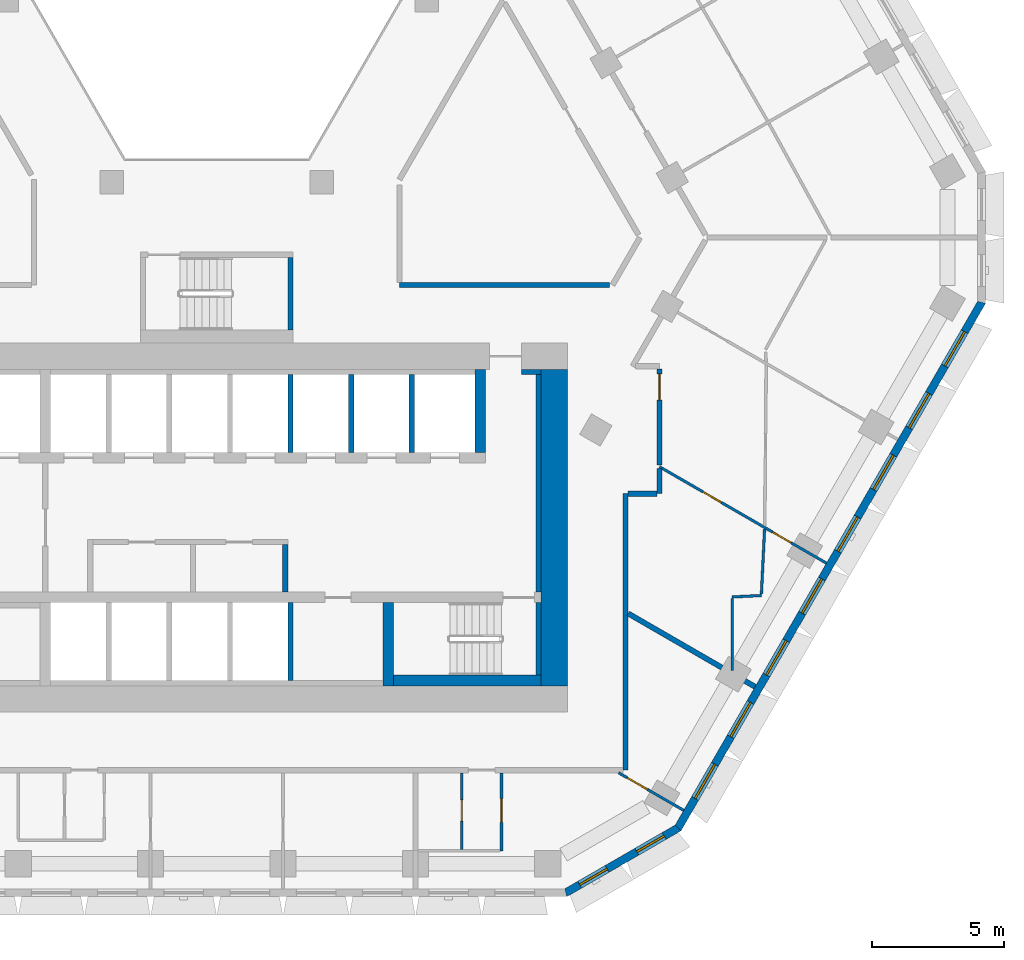
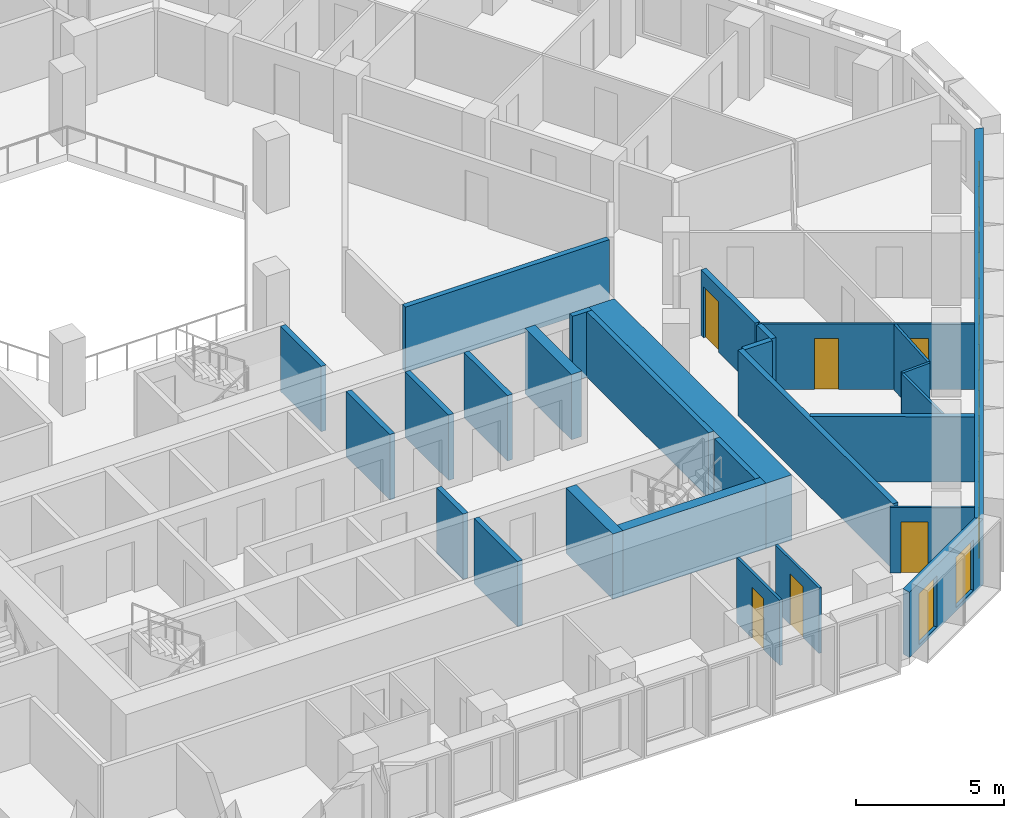
# One storey, part 6 of 18: 28 walls, 10 windows, 6 doors, 16 openings.
"""IFC4 building model written with IfcOpenShell, lengths in metres."""

from ifc_helpers import new_model, si_unit, direction, frame, frame_2d, origin, place, context, subcontext, project, spatial, polyline, rectangle, outline, extrude, material, layer, layer_set, type_object, element, fill, save


model = new_model("IFC4")

# Units and contexts
model_context = context("Model", 3, precision=1e-05, world=origin(), true_north=direction((0.0, 1.0)))
body_context = subcontext(model_context, "Body", "Model", "MODEL_VIEW")
ifc_project = project(units=[si_unit("LENGTHUNIT", "METRE"), si_unit("AREAUNIT", "SQUARE_METRE"), si_unit("VOLUMEUNIT", "CUBIC_METRE"), si_unit("PLANEANGLEUNIT", "RADIAN"), si_unit("MASSUNIT", "GRAM", prefix="KILO")], contexts=[model_context])

# Site, building, storey
site_placement = place(None, origin())
site = spatial("IfcSite", under=ifc_project, at=site_placement, CompositionType="ELEMENT")
building_placement = place(site_placement, origin())
building = spatial("IfcBuilding", under=site, at=building_placement, Name="Beryl Residences", CompositionType="ELEMENT")
storey_placement = place(building_placement, frame((0.0, 0.0, 99.0)))
storey = spatial("IfcBuildingStorey", under=building, at=storey_placement, Name="L30", CompositionType="ELEMENT", Elevation=99.0)

# Wall, openings, windows
ifc_material_1 = material(Name="Composite metal panel with mineral wool insulation")
ifc_layer_1 = layer(ifc_material_1, 0.300048828125)
ifc_layer_set_1 = layer_set([ifc_layer_1], Name="ES1 pale metal composite panel wall 300 mm")
wall_type_1 = type_object("IfcWallType", Name="ES1 pale metal composite panel wall 300 mm", PredefinedType="SOLIDWALL", material=ifc_layer_set_1)
wall_1_placement = place(storey_placement, frame((13.2041015625, -25.8701171875, 0.0), z_axis=(0.0, 0.0, 1.0), x_axis=(0.866010750942, 0.50002537861, 0.0)))
wall_1 = element("IfcWall", 1, at=wall_1_placement, inside=storey, type_object=wall_type_1, Name="ES1 external wall L30 S-SE", PredefinedType="SOLIDWALL", context=body_context, shape_type="SweptSolid", body=[
    extrude(outline(polyline([(0.0, -0.14990234375), (4.999755859375, -0.14990234375), (4.91943359375, 0.14990234375), (0.080322265625, 0.14990234375), (0.0, -0.14990234375)])), origin(), (0.0, 0.0, 1.0), 2.699951171875),
])
opening_1_placement = place(wall_1_placement, frame((0.64990234375, 0.0, 0.14990234375)))
opening_1 = element("IfcOpeningElement", 2, at=opening_1_placement, cuts=wall_1, Name="Opening W2", PredefinedType="OPENING", context=body_context, shape_type="SweptSolid", body=[
    extrude(rectangle(XDim=1.199951171875, YDim=2.10009765625, at=frame_2d((0.60009765625, 1.050048828125))), frame((0.0, 0.159912109375, 0.0), z_axis=(0.0, -1.0, 0.0), x_axis=(1.0, 0.0, 0.0)), (0.0, 0.0, 1.0), 0.320068359375),
])
opening_2_placement = place(wall_1_placement, frame((3.14892578125, 0.0, 0.14990234375)))
opening_2 = element("IfcOpeningElement", 3, at=opening_2_placement, cuts=wall_1, Name="Opening W2", PredefinedType="OPENING", context=body_context, shape_type="SweptSolid", body=[
    extrude(rectangle(XDim=1.199951171875, YDim=2.10009765625, at=frame_2d((0.60009765625, 1.050048828125))), frame((0.0, 0.159912109375, 0.0), z_axis=(0.0, -1.0, 0.0), x_axis=(1.0, 0.0, 0.0)), (0.0, 0.0, 1.0), 0.320068359375),
])
ifc_material_2 = material(Name="Aluminium and clear glass", Category="aluminium")
window_type_1 = type_object("IfcWindowType", Name="W2 chamfer window 1200 x 2100 mm", PartitioningType="SINGLE_PANEL", PredefinedType="WINDOW", material=ifc_material_2)
window_1_placement = place(opening_1_placement, origin())
window_1 = element("IfcWindow", 4, at=window_1_placement, inside=storey, type_object=window_type_1, Name="W2 window L30 S-SE 1", OverallHeight=2.10009765625, OverallWidth=1.199951171875, PartitioningType="SINGLE_PANEL", PredefinedType="WINDOW", context=body_context, shape_type="SweptSolid", body=[
    extrude(rectangle(XDim=1.199951171875, YDim=2.10009765625, at=frame_2d((0.60009765625, 1.050048828125))), frame((0.0, 0.030029296875, 0.0), z_axis=(0.0, -1.0, 0.0), x_axis=(1.0, 0.0, 0.0)), (0.0, 0.0, 1.0), 0.06005859375),
])
fill(opening_1, window_1)
window_2_placement = place(opening_2_placement, origin())
window_2 = element("IfcWindow", 5, at=window_2_placement, inside=storey, type_object=window_type_1, Name="W2 window L30 S-SE 2", OverallHeight=2.10009765625, OverallWidth=1.199951171875, PartitioningType="SINGLE_PANEL", PredefinedType="WINDOW", context=body_context, shape_type="SweptSolid", body=[
    extrude(rectangle(XDim=1.199951171875, YDim=2.10009765625, at=frame_2d((0.60009765625, 1.050048828125))), frame((0.0, 0.030029296875, 0.0), z_axis=(0.0, -1.0, 0.0), x_axis=(1.0, 0.0, 0.0)), (0.0, 0.0, 1.0), 0.06005859375),
])
fill(opening_2, window_2)

wall_2_placement = place(storey_placement, frame((17.47900390625, -23.425048828125, 0.0), z_axis=(0.0, 0.0, 1.0), x_axis=(0.500035407905, 0.866004960056, 0.0)))
wall_2 = element("IfcWall", 6, at=wall_2_placement, inside=storey, type_object=wall_type_1, Name="ES1 external wall L30 SE", PredefinedType="SOLIDWALL", context=body_context, shape_type="SweptSolid", body=[
    extrude(outline(polyline([(0.0, -0.14990234375), (23.094482421875, -0.14990234375), (23.01416015625, 0.14990234375), (0.080322265625, 0.14990234375), (0.0, -0.14990234375)])), origin(), (0.0, 0.0, 1.0), 2.699951171875),
])
opening_3_placement = place(wall_2_placement, frame((1.323974609375, 0.0, 0.14990234375)))
opening_3 = element("IfcOpeningElement", 7, at=opening_3_placement, cuts=wall_2, Name="Opening W1", PredefinedType="OPENING", context=body_context, shape_type="SweptSolid", body=[
    extrude(rectangle(XDim=1.5, YDim=2.10009765625, at=frame_2d((0.75, 1.050048828125))), frame((0.0, 0.159912109375, 0.0), z_axis=(0.0, -1.0, 0.0), x_axis=(1.0, 0.0, 0.0)), (0.0, 0.0, 1.0), 0.320068359375),
])
opening_4_placement = place(wall_2_placement, frame((4.031005859375, 0.0, 0.14990234375)))
opening_4 = element("IfcOpeningElement", 8, at=opening_4_placement, cuts=wall_2, Name="Opening W1", PredefinedType="OPENING", context=body_context, shape_type="SweptSolid", body=[
    extrude(rectangle(XDim=1.5, YDim=2.10009765625, at=frame_2d((0.75, 1.050048828125))), frame((0.0, 0.159912109375, 0.0), z_axis=(0.0, -1.0, 0.0), x_axis=(1.0, 0.0, 0.0)), (0.0, 0.0, 1.0), 0.320068359375),
])
opening_5_placement = place(wall_2_placement, frame((6.737060546875, 0.0, 0.14990234375)))
opening_5 = element("IfcOpeningElement", 9, at=opening_5_placement, cuts=wall_2, Name="Opening W1", PredefinedType="OPENING", context=body_context, shape_type="SweptSolid", body=[
    extrude(rectangle(XDim=1.5, YDim=2.10009765625, at=frame_2d((0.75, 1.050048828125))), frame((0.0, 0.159912109375, 0.0), z_axis=(0.0, -1.0, 0.0), x_axis=(1.0, 0.0, 0.0)), (0.0, 0.0, 1.0), 0.320068359375),
])
opening_6_placement = place(wall_2_placement, frame((9.444091796875, 0.0, 0.14990234375)))
opening_6 = element("IfcOpeningElement", 10, at=opening_6_placement, cuts=wall_2, Name="Opening W1", PredefinedType="OPENING", context=body_context, shape_type="SweptSolid", body=[
    extrude(rectangle(XDim=1.5, YDim=2.10009765625, at=frame_2d((0.75, 1.050048828125))), frame((0.0, 0.159912109375, 0.0), z_axis=(0.0, -1.0, 0.0), x_axis=(1.0, 0.0, 0.0)), (0.0, 0.0, 1.0), 0.320068359375),
])
opening_7_placement = place(wall_2_placement, frame((12.15087890625, 0.0, 0.14990234375)))
opening_7 = element("IfcOpeningElement", 11, at=opening_7_placement, cuts=wall_2, Name="Opening W1", PredefinedType="OPENING", context=body_context, shape_type="SweptSolid", body=[
    extrude(rectangle(XDim=1.5, YDim=2.10009765625, at=frame_2d((0.75, 1.050048828125))), frame((0.0, 0.159912109375, 0.0), z_axis=(0.0, -1.0, 0.0), x_axis=(1.0, 0.0, 0.0)), (0.0, 0.0, 1.0), 0.320068359375),
])
opening_8_placement = place(wall_2_placement, frame((14.85693359375, 0.0, 0.14990234375)))
opening_8 = element("IfcOpeningElement", 12, at=opening_8_placement, cuts=wall_2, Name="Opening W1", PredefinedType="OPENING", context=body_context, shape_type="SweptSolid", body=[
    extrude(rectangle(XDim=1.5, YDim=2.10009765625, at=frame_2d((0.75, 1.050048828125))), frame((0.0, 0.159912109375, 0.0), z_axis=(0.0, -1.0, 0.0), x_axis=(1.0, 0.0, 0.0)), (0.0, 0.0, 1.0), 0.320068359375),
])
opening_9_placement = place(wall_2_placement, frame((17.56396484375, 0.0, 0.14990234375)))
opening_9 = element("IfcOpeningElement", 13, at=opening_9_placement, cuts=wall_2, Name="Opening W1", PredefinedType="OPENING", context=body_context, shape_type="SweptSolid", body=[
    extrude(rectangle(XDim=1.5, YDim=2.10009765625, at=frame_2d((0.75, 1.050048828125))), frame((0.0, 0.159912109375, 0.0), z_axis=(0.0, -1.0, 0.0), x_axis=(1.0, 0.0, 0.0)), (0.0, 0.0, 1.0), 0.320068359375),
])
opening_10_placement = place(wall_2_placement, frame((20.27099609375, 0.0, 0.14990234375)))
opening_10 = element("IfcOpeningElement", 14, at=opening_10_placement, cuts=wall_2, Name="Opening W1", PredefinedType="OPENING", context=body_context, shape_type="SweptSolid", body=[
    extrude(rectangle(XDim=1.5, YDim=2.10009765625, at=frame_2d((0.75, 1.050048828125))), frame((0.0, 0.159912109375, 0.0), z_axis=(0.0, -1.0, 0.0), x_axis=(1.0, 0.0, 0.0)), (0.0, 0.0, 1.0), 0.320068359375),
])
ifc_material_3 = material(Name="Aluminium and clear glass", Category="aluminium")
window_type_2 = type_object("IfcWindowType", Name="W1 cell window 1500 x 2100 mm", PartitioningType="SINGLE_PANEL", PredefinedType="WINDOW", material=ifc_material_3)
window_3_placement = place(opening_3_placement, origin())
window_3 = element("IfcWindow", 15, at=window_3_placement, inside=storey, type_object=window_type_2, Name="W1 window L30 SE 1", OverallHeight=2.10009765625, OverallWidth=1.5, PartitioningType="SINGLE_PANEL", PredefinedType="WINDOW", context=body_context, shape_type="SweptSolid", body=[
    extrude(rectangle(XDim=1.5, YDim=2.10009765625, at=frame_2d((0.75, 1.050048828125))), frame((0.0, 0.030029296875, 0.0), z_axis=(0.0, -1.0, 0.0), x_axis=(1.0, 0.0, 0.0)), (0.0, 0.0, 1.0), 0.06005859375),
])
fill(opening_3, window_3)
window_4_placement = place(opening_4_placement, origin())
window_4 = element("IfcWindow", 16, at=window_4_placement, inside=storey, type_object=window_type_2, Name="W1 window L30 SE 2", OverallHeight=2.10009765625, OverallWidth=1.5, PartitioningType="SINGLE_PANEL", PredefinedType="WINDOW", context=body_context, shape_type="SweptSolid", body=[
    extrude(rectangle(XDim=1.5, YDim=2.10009765625, at=frame_2d((0.75, 1.050048828125))), frame((0.0, 0.030029296875, 0.0), z_axis=(0.0, -1.0, 0.0), x_axis=(1.0, 0.0, 0.0)), (0.0, 0.0, 1.0), 0.06005859375),
])
fill(opening_4, window_4)
window_5_placement = place(opening_5_placement, origin())
window_5 = element("IfcWindow", 17, at=window_5_placement, inside=storey, type_object=window_type_2, Name="W1 window L30 SE 3", OverallHeight=2.10009765625, OverallWidth=1.5, PartitioningType="SINGLE_PANEL", PredefinedType="WINDOW", context=body_context, shape_type="SweptSolid", body=[
    extrude(rectangle(XDim=1.5, YDim=2.10009765625, at=frame_2d((0.75, 1.050048828125))), frame((0.0, 0.030029296875, 0.0), z_axis=(0.0, -1.0, 0.0), x_axis=(1.0, 0.0, 0.0)), (0.0, 0.0, 1.0), 0.06005859375),
])
fill(opening_5, window_5)
window_6_placement = place(opening_6_placement, origin())
window_6 = element("IfcWindow", 18, at=window_6_placement, inside=storey, type_object=window_type_2, Name="W1 window L30 SE 4", OverallHeight=2.10009765625, OverallWidth=1.5, PartitioningType="SINGLE_PANEL", PredefinedType="WINDOW", context=body_context, shape_type="SweptSolid", body=[
    extrude(rectangle(XDim=1.5, YDim=2.10009765625, at=frame_2d((0.75, 1.050048828125))), frame((0.0, 0.030029296875, 0.0), z_axis=(0.0, -1.0, 0.0), x_axis=(1.0, 0.0, 0.0)), (0.0, 0.0, 1.0), 0.06005859375),
])
fill(opening_6, window_6)
window_7_placement = place(opening_7_placement, origin())
window_7 = element("IfcWindow", 19, at=window_7_placement, inside=storey, type_object=window_type_2, Name="W1 window L30 SE 5", OverallHeight=2.10009765625, OverallWidth=1.5, PartitioningType="SINGLE_PANEL", PredefinedType="WINDOW", context=body_context, shape_type="SweptSolid", body=[
    extrude(rectangle(XDim=1.5, YDim=2.10009765625, at=frame_2d((0.75, 1.050048828125))), frame((0.0, 0.030029296875, 0.0), z_axis=(0.0, -1.0, 0.0), x_axis=(1.0, 0.0, 0.0)), (0.0, 0.0, 1.0), 0.06005859375),
])
fill(opening_7, window_7)
window_8_placement = place(opening_8_placement, origin())
window_8 = element("IfcWindow", 20, at=window_8_placement, inside=storey, type_object=window_type_2, Name="W1 window L30 SE 6", OverallHeight=2.10009765625, OverallWidth=1.5, PartitioningType="SINGLE_PANEL", PredefinedType="WINDOW", context=body_context, shape_type="SweptSolid", body=[
    extrude(rectangle(XDim=1.5, YDim=2.10009765625, at=frame_2d((0.75, 1.050048828125))), frame((0.0, 0.030029296875, 0.0), z_axis=(0.0, -1.0, 0.0), x_axis=(1.0, 0.0, 0.0)), (0.0, 0.0, 1.0), 0.06005859375),
])
fill(opening_8, window_8)
window_9_placement = place(opening_9_placement, origin())
window_9 = element("IfcWindow", 21, at=window_9_placement, inside=storey, type_object=window_type_2, Name="W1 window L30 SE 7", OverallHeight=2.10009765625, OverallWidth=1.5, PartitioningType="SINGLE_PANEL", PredefinedType="WINDOW", context=body_context, shape_type="SweptSolid", body=[
    extrude(rectangle(XDim=1.5, YDim=2.10009765625, at=frame_2d((0.75, 1.050048828125))), frame((0.0, 0.030029296875, 0.0), z_axis=(0.0, -1.0, 0.0), x_axis=(1.0, 0.0, 0.0)), (0.0, 0.0, 1.0), 0.06005859375),
])
fill(opening_9, window_9)
window_10_placement = place(opening_10_placement, origin())
window_10 = element("IfcWindow", 22, at=window_10_placement, inside=storey, type_object=window_type_2, Name="W1 window L30 SE 8", OverallHeight=2.10009765625, OverallWidth=1.5, PartitioningType="SINGLE_PANEL", PredefinedType="WINDOW", context=body_context, shape_type="SweptSolid", body=[
    extrude(rectangle(XDim=1.5, YDim=2.10009765625, at=frame_2d((0.75, 1.050048828125))), frame((0.0, 0.030029296875, 0.0), z_axis=(0.0, -1.0, 0.0), x_axis=(1.0, 0.0, 0.0)), (0.0, 0.0, 1.0), 0.06005859375),
])
fill(opening_10, window_10)

# Wall, opening, door
ifc_material_4 = material(Name="Gypsum board partition on steel studs", Category="steel")
ifc_layer_2 = layer(ifc_material_4, 0.10009765625)
ifc_layer_set_2 = layer_set([ifc_layer_2], Name="PT1 partition 100 mm gypsum board on steel studs")
wall_type_2 = type_object("IfcWallType", Name="PT1 partition 100 mm gypsum board on steel studs", PredefinedType="PARTITIONING", material=ifc_layer_set_2)
wall_3_placement = place(storey_placement, frame((15.239990234375, -21.300048828125, 0.0), z_axis=(0.0, 0.0, 1.0), x_axis=(0.866090043625, -0.499888023795, 0.0)))
wall_3 = element("IfcWall", 23, at=wall_3_placement, inside=storey, type_object=wall_type_2, Name="Wall PT1 L30 019", PredefinedType="PARTITIONING", context=body_context, shape_type="SweptSolid", body=[
    extrude(rectangle(XDim=2.850830078125, YDim=0.10009765625, at=frame_2d((1.42529296875, 0.0))), origin(), (0.0, 0.0, 1.0), 2.699951171875),
])
opening_11_placement = place(wall_3_placement, frame((0.375, 0.0, 0.0)))
opening_11 = element("IfcOpeningElement", 24, at=opening_11_placement, cuts=wall_3, Name="Opening D0714", PredefinedType="OPENING", context=body_context, shape_type="SweptSolid", body=[
    extrude(rectangle(XDim=0.89990234375, YDim=2.10009765625, at=frame_2d((0.449951171875, 1.050048828125))), frame((0.0, 0.06005859375, 0.0), z_axis=(0.0, -1.0, 0.0), x_axis=(1.0, 0.0, 0.0)), (0.0, 0.0, 1.0), 0.1201171875),
])
ifc_material_5 = material(Name="Timber door leaf", Category="wood")
door_type_1 = type_object("IfcDoorType", Name="D2 room door 900 x 2100 mm", OperationType="SINGLE_SWING_LEFT", PredefinedType="DOOR", material=ifc_material_5)
door_1_placement = place(opening_11_placement, origin())
door_1 = element("IfcDoor", 25, at=door_1_placement, inside=storey, type_object=door_type_1, Name="Door D0714 L30 001", OperationType="SINGLE_SWING_RIGHT", OverallHeight=2.10009765625, OverallWidth=0.89990234375, PredefinedType="DOOR", context=body_context, shape_type="SweptSolid", body=[
    extrude(rectangle(XDim=0.89990234375, YDim=2.10009765625, at=frame_2d((0.449951171875, 1.050048828125))), frame((0.0, 0.02490234375, 0.0), z_axis=(0.0, -1.0, 0.0), x_axis=(1.0, 0.0, 0.0)), (0.0, 0.0, 1.0), 0.050048828125),
])
fill(opening_11, door_1)

# Wall, openings, doors
wall_4_placement = place(storey_placement, frame((16.791015625, -9.694091796875, 0.0), z_axis=(0.0, 0.0, 1.0), x_axis=(0.866013208994, -0.500021121402, 0.0)))
wall_4 = element("IfcWall", 26, at=wall_4_placement, inside=storey, type_object=wall_type_2, Name="Wall PT1 L30 021", PredefinedType="PARTITIONING", context=body_context, shape_type="SweptSolid", body=[
    extrude(rectangle(XDim=7.311767578125, YDim=0.10009765625, at=frame_2d((3.65576171875, 0.0))), origin(), (0.0, 0.0, 1.0), 2.699951171875),
])
opening_12_placement = place(wall_4_placement, frame((1.903076171875, 0.0, 0.0)))
opening_12 = element("IfcOpeningElement", 27, at=opening_12_placement, cuts=wall_4, Name="Opening D0717", PredefinedType="OPENING", context=body_context, shape_type="SweptSolid", body=[
    extrude(rectangle(XDim=0.800048828125, YDim=2.10009765625, at=frame_2d((0.39990234375, 1.050048828125))), frame((0.0, 0.06005859375, 0.0), z_axis=(0.0, -1.0, 0.0), x_axis=(1.0, 0.0, 0.0)), (0.0, 0.0, 1.0), 0.1201171875),
])
opening_13_placement = place(wall_4_placement, frame((4.958984375, 0.0, 0.0)))
opening_13 = element("IfcOpeningElement", 28, at=opening_13_placement, cuts=wall_4, Name="Opening D0720", PredefinedType="OPENING", context=body_context, shape_type="SweptSolid", body=[
    extrude(rectangle(XDim=0.800048828125, YDim=2.10009765625, at=frame_2d((0.39990234375, 1.050048828125))), frame((0.0, 0.06005859375, 0.0), z_axis=(0.0, -1.0, 0.0), x_axis=(1.0, 0.0, 0.0)), (0.0, 0.0, 1.0), 0.1201171875),
])
ifc_material_6 = material(Name="Timber door leaf", Category="wood")
door_type_2 = type_object("IfcDoorType", Name="D13 room door 800 x 2100 mm", OperationType="SINGLE_SWING_LEFT", PredefinedType="DOOR", material=ifc_material_6)
door_2_placement = place(opening_13_placement, origin())
door_2 = element("IfcDoor", 29, at=door_2_placement, inside=storey, type_object=door_type_2, Name="Door D0720 L30 001", OperationType="SINGLE_SWING_RIGHT", OverallHeight=2.10009765625, OverallWidth=0.800048828125, PredefinedType="DOOR", context=body_context, shape_type="SweptSolid", body=[
    extrude(rectangle(XDim=0.800048828125, YDim=2.10009765625, at=frame_2d((0.39990234375, 1.050048828125))), frame((0.0, 0.02490234375, 0.0), z_axis=(0.0, -1.0, 0.0), x_axis=(1.0, 0.0, 0.0)), (0.0, 0.0, 1.0), 0.050048828125),
])
fill(opening_13, door_2)
ifc_material_7 = material(Name="Timber door leaf", Category="wood")
door_type_3 = type_object("IfcDoorType", Name="D3 bathroom door 800 x 2100 mm", OperationType="SINGLE_SWING_LEFT", PredefinedType="DOOR", material=ifc_material_7)
door_3_placement = place(opening_12_placement, origin())
door_3 = element("IfcDoor", 30, at=door_3_placement, inside=storey, type_object=door_type_3, Name="Door D0717 L30 001", OperationType="SINGLE_SWING_LEFT", OverallHeight=2.10009765625, OverallWidth=0.800048828125, PredefinedType="DOOR", context=body_context, shape_type="SweptSolid", body=[
    extrude(rectangle(XDim=0.800048828125, YDim=2.10009765625, at=frame_2d((0.39990234375, 1.050048828125))), frame((0.0, 0.02490234375, 0.0), z_axis=(0.0, -1.0, 0.0), x_axis=(1.0, 0.0, 0.0)), (0.0, 0.0, 1.0), 0.050048828125),
])
fill(opening_12, door_3)

# Wall
wall_5_placement = place(storey_placement, frame((20.656005859375, -14.527099609375, 0.0), z_axis=(0.0, 0.0, 1.0), x_axis=(0.048885629948, 0.998804382842, 0.0)))
element("IfcWall", 31, at=wall_5_placement, inside=storey, type_object=wall_type_2, Name="Wall PT1 L30 036", PredefinedType="PARTITIONING", context=body_context, shape_type="SweptSolid", body=[
    extrude(rectangle(XDim=2.47705078125, YDim=0.10009765625, at=frame_2d((1.238525390625, 0.0))), origin(), (0.0, 0.0, 1.0), 2.699951171875),
])

# Wall, opening, door
wall_6_placement = place(storey_placement, frame((9.29296875, -24.2099609375, 0.0), z_axis=(0.0, 0.0, 1.0), x_axis=(0.0, 1.0, 0.0)))
wall_6 = element("IfcWall", 32, at=wall_6_placement, inside=storey, type_object=wall_type_2, Name="Wall PT1 L30 041", PredefinedType="PARTITIONING", context=body_context, shape_type="SweptSolid", body=[
    extrude(rectangle(XDim=2.909912109375, YDim=0.10009765625, at=frame_2d((1.455078125, 0.0))), origin(), (0.0, 0.0, 1.0), 2.699951171875),
])
opening_14_placement = place(wall_6_placement, frame((1.080078125, 0.0, 0.0)))
opening_14 = element("IfcOpeningElement", 33, at=opening_14_placement, cuts=wall_6, Name="Opening D0713", PredefinedType="OPENING", context=body_context, shape_type="SweptSolid", body=[
    extrude(rectangle(XDim=0.800048828125, YDim=2.10009765625, at=frame_2d((0.39990234375, 1.050048828125))), frame((0.0, 0.06005859375, 0.0), z_axis=(0.0, -1.0, 0.0), x_axis=(1.0, 0.0, 0.0)), (0.0, 0.0, 1.0), 0.1201171875),
])
door_4_placement = place(opening_14_placement, origin())
door_4 = element("IfcDoor", 34, at=door_4_placement, inside=storey, type_object=door_type_3, Name="Door D0713 L30 001", OperationType="SINGLE_SWING_LEFT", OverallHeight=2.10009765625, OverallWidth=0.800048828125, PredefinedType="DOOR", context=body_context, shape_type="SweptSolid", body=[
    extrude(rectangle(XDim=0.800048828125, YDim=2.10009765625, at=frame_2d((0.39990234375, 1.050048828125))), frame((0.0, 0.02490234375, 0.0), z_axis=(0.0, -1.0, 0.0), x_axis=(1.0, 0.0, 0.0)), (0.0, 0.0, 1.0), 0.050048828125),
])
fill(opening_14, door_4)

wall_7_placement = place(storey_placement, frame((10.800048828125, -24.259033203125, 0.0), z_axis=(0.0, 0.0, 1.0), x_axis=(0.0, 1.0, 0.0)))
wall_7 = element("IfcWall", 35, at=wall_7_placement, inside=storey, type_object=wall_type_2, Name="Wall PT1 L30 042", PredefinedType="PARTITIONING", context=body_context, shape_type="SweptSolid", body=[
    extrude(rectangle(XDim=2.958984375, YDim=0.10009765625, at=frame_2d((1.4794921875, 0.0))), origin(), (0.0, 0.0, 1.0), 2.699951171875),
])
opening_15_placement = place(wall_7_placement, frame((1.0791015625, 0.0, 0.0)))
opening_15 = element("IfcOpeningElement", 36, at=opening_15_placement, cuts=wall_7, Name="Opening D0712", PredefinedType="OPENING", context=body_context, shape_type="SweptSolid", body=[
    extrude(rectangle(XDim=0.89990234375, YDim=2.10009765625, at=frame_2d((0.449951171875, 1.050048828125))), frame((0.0, 0.06005859375, 0.0), z_axis=(0.0, -1.0, 0.0), x_axis=(1.0, 0.0, 0.0)), (0.0, 0.0, 1.0), 0.1201171875),
])
door_5_placement = place(opening_15_placement, origin())
door_5 = element("IfcDoor", 37, at=door_5_placement, inside=storey, type_object=door_type_1, Name="Door D0712 L30 001", OperationType="SINGLE_SWING_RIGHT", OverallHeight=2.10009765625, OverallWidth=0.89990234375, PredefinedType="DOOR", context=body_context, shape_type="SweptSolid", body=[
    extrude(rectangle(XDim=0.89990234375, YDim=2.10009765625, at=frame_2d((0.449951171875, 1.050048828125))), frame((0.0, 0.02490234375, 0.0), z_axis=(0.0, -1.0, 0.0), x_axis=(1.0, 0.0, 0.0)), (0.0, 0.0, 1.0), 0.050048828125),
])
fill(opening_15, door_5)

# Walls
wall_8_placement = place(storey_placement, frame((19.548095703125, -17.4208984375, 0.0), z_axis=(0.0, 0.0, 1.0), x_axis=(0.0, 1.0, 0.0)))
element("IfcWall", 38, at=wall_8_placement, inside=storey, type_object=wall_type_2, Name="Wall PT1 L30 043", PredefinedType="PARTITIONING", context=body_context, shape_type="SweptSolid", body=[
    extrude(rectangle(XDim=2.739013671875, YDim=0.10009765625, at=frame_2d((1.36962890625, 0.0))), origin(), (0.0, 0.0, 1.0), 2.699951171875),
])
wall_9_placement = place(storey_placement, frame((19.548095703125, -14.632080078125, 0.0), z_axis=(0.0, 0.0, 1.0), x_axis=(0.998755638501, 0.049871580712, 0.0)))
element("IfcWall", 39, at=wall_9_placement, inside=storey, type_object=wall_type_2, Name="Wall PT1 L30 050", PredefinedType="PARTITIONING", context=body_context, shape_type="SweptSolid", body=[
    extrude(rectangle(XDim=1.1064453125, YDim=0.10009765625, at=frame_2d((0.55322265625, 0.0))), origin(), (0.0, 0.0, 1.0), 2.699951171875),
])
ifc_material_8 = material(Name="Concrete masonry", Category="masonry")
ifc_layer_3 = layer(ifc_material_8, 0.199951171875)
ifc_layer_set_3 = layer_set([ifc_layer_3], Name="PT13 lobby wall 200 mm")
wall_type_3 = type_object("IfcWallType", Name="PT13 lobby wall 200 mm", PredefinedType="PARTITIONING", material=ifc_layer_set_3)
wall_10_placement = place(storey_placement, frame((2.60009765625, -14.449951171875, 0.0), z_axis=(0.0, 0.0, 1.0), x_axis=(0.0, 1.0, 0.0)))
element("IfcWall", 40, at=wall_10_placement, inside=storey, type_object=wall_type_3, Name="Lobby wall 23", PredefinedType="PARTITIONING", context=body_context, shape_type="SweptSolid", body=[
    extrude(rectangle(XDim=1.800048828125, YDim=0.199951171875, at=frame_2d((0.89990234375, 0.0))), origin(), (0.0, 0.0, 1.0), 2.699951171875),
])
wall_11_placement = place(storey_placement, frame((11.550048828125, -6.10009765625, 0.0), z_axis=(0.0, 0.0, 1.0), x_axis=(1.0, 0.0, 0.0)))
element("IfcWall", 41, at=wall_11_placement, inside=storey, type_object=wall_type_3, Name="Lobby wall 29", PredefinedType="PARTITIONING", context=body_context, shape_type="SweptSolid", body=[
    extrude(rectangle(XDim=0.75, YDim=0.199951171875, at=frame_2d((0.375, 0.0))), origin(), (0.0, 0.0, 1.0), 2.699951171875),
])
wall_12_placement = place(storey_placement, frame((12.199951171875, -14.449951171875, 0.0), z_axis=(0.0, 0.0, 1.0), x_axis=(0.0, 1.0, 0.0)))
element("IfcWall", 42, at=wall_12_placement, inside=storey, type_object=wall_type_3, Name="Lobby wall 31", PredefinedType="PARTITIONING", context=body_context, shape_type="SweptSolid", body=[
    extrude(rectangle(XDim=8.25, YDim=0.199951171875, at=frame_2d((4.125, 0.0))), origin(), (0.0, 0.0, 1.0), 2.699951171875),
])
ifc_material_9 = material(Name="Acoustic double stud gypsum board wall")
ifc_layer_4 = layer(ifc_material_9, 0.199951171875)
ifc_layer_set_4 = layer_set([ifc_layer_4], Name="PT3 party wall 200 mm acoustic double stud")
wall_type_4 = type_object("IfcWallType", Name="PT3 party wall 200 mm acoustic double stud", PredefinedType="PARTITIONING", material=ifc_layer_set_4)
wall_13_placement = place(storey_placement, frame((15.60009765625, -15.257080078125, 0.0), z_axis=(0.0, 0.0, 1.0), x_axis=(0.86598379672, -0.500072058625, 0.0)))
element("IfcWall", 43, at=wall_13_placement, inside=storey, type_object=wall_type_4, Name="Wall PT3 L30 005", PredefinedType="PARTITIONING", context=body_context, shape_type="SweptSolid", body=[
    extrude(rectangle(XDim=5.561279296875, YDim=0.199951171875, at=frame_2d((2.78076171875, 0.0))), origin(), (0.0, 0.0, 1.0), 2.699951171875),
])

# Wall, opening, door
ifc_material_10 = material(Name="Double stud gypsum board wall")
ifc_layer_5 = layer(ifc_material_10, 0.199951171875)
ifc_layer_set_5 = layer_set([ifc_layer_5], Name="PT4 corridor wall 200 mm double stud")
wall_type_5 = type_object("IfcWallType", Name="PT4 corridor wall 200 mm double stud", PredefinedType="PARTITIONING", material=ifc_layer_set_5)
wall_14_placement = place(storey_placement, frame((16.791015625, -5.985107421875, 0.0), z_axis=(0.0, 0.0, 1.0), x_axis=(0.0, -1.0, 0.0)))
wall_14 = element("IfcWall", 44, at=wall_14_placement, inside=storey, type_object=wall_type_5, Name="Wall PT4 L30 011", PredefinedType="PARTITIONING", context=body_context, shape_type="SweptSolid", body=[
    extrude(rectangle(XDim=3.65087890625, YDim=0.199951171875, at=frame_2d((1.825439453125, 0.0))), origin(), (0.0, 0.0, 1.0), 2.699951171875),
])
opening_16_placement = place(wall_14_placement, frame((0.18310546875, 0.0, 0.0)))
opening_16 = element("IfcOpeningElement", 45, at=opening_16_placement, cuts=wall_14, Name="Opening D0715", PredefinedType="OPENING", context=body_context, shape_type="SweptSolid", body=[
    extrude(rectangle(XDim=1.0, YDim=2.10009765625, at=frame_2d((0.5, 1.050048828125))), frame((0.0, 0.10986328125, 0.0), z_axis=(0.0, -1.0, 0.0), x_axis=(1.0, 0.0, 0.0)), (0.0, 0.0, 1.0), 0.219970703125),
])
ifc_material_11 = material(Name="Timber door leaf", Category="wood")
door_type_4 = type_object("IfcDoorType", Name="D1 flat entrance door 1000 x 2100 mm", OperationType="SINGLE_SWING_LEFT", PredefinedType="DOOR", material=ifc_material_11)
door_6_placement = place(opening_16_placement, origin())
door_6 = element("IfcDoor", 46, at=door_6_placement, inside=storey, type_object=door_type_4, Name="Door D0715 L30 001", OperationType="SINGLE_SWING_LEFT", OverallHeight=2.10009765625, OverallWidth=1.0, PredefinedType="DOOR", context=body_context, shape_type="SweptSolid", body=[
    extrude(rectangle(XDim=1.0, YDim=2.10009765625, at=frame_2d((0.5, 1.050048828125))), frame((0.0, 0.02490234375, 0.0), z_axis=(0.0, -1.0, 0.0), x_axis=(1.0, 0.0, 0.0)), (0.0, 0.0, 1.0), 0.050048828125),
])
fill(opening_16, door_6)

# Walls
wall_15_placement = place(storey_placement, frame((15.60107421875, -10.715087890625, 0.0), z_axis=(0.0, 0.0, 1.0), x_axis=(1.0, 0.0, 0.0)))
element("IfcWall", 47, at=wall_15_placement, inside=storey, type_object=wall_type_5, Name="Wall PT4 L30 014", PredefinedType="PARTITIONING", context=body_context, shape_type="SweptSolid", body=[
    extrude(rectangle(XDim=1.08984375, YDim=0.199951171875, at=frame_2d((0.544921875, 0.0))), origin(), (0.0, 0.0, 1.0), 2.699951171875),
])
wall_16_placement = place(storey_placement, frame((6.928955078125, -2.800048828125, 0.0), z_axis=(0.0, 0.0, 1.0), x_axis=(1.0, 0.0, 0.0)))
element("IfcWall", 48, at=wall_16_placement, inside=storey, type_object=wall_type_5, Name="Wall PT4 L30 018", PredefinedType="PARTITIONING", context=body_context, shape_type="SweptSolid", body=[
    extrude(rectangle(XDim=7.966064453125, YDim=0.199951171875, at=frame_2d((3.98291015625, 0.0))), origin(), (0.0, 0.0, 1.0), 2.699951171875),
])
wall_17_placement = place(storey_placement, frame((15.5, -21.198974609375, 0.0), z_axis=(0.0, 0.0, 1.0), x_axis=(0.0, 1.0, 0.0)))
element("IfcWall", 49, at=wall_17_placement, inside=storey, type_object=wall_type_5, Name="Wall PT4 L30 029", PredefinedType="PARTITIONING", context=body_context, shape_type="SweptSolid", body=[
    extrude(rectangle(XDim=10.48291015625, YDim=0.199951171875, at=frame_2d((5.241455078125, 0.0))), origin(), (0.0, 0.0, 1.0), 2.699951171875),
])
wall_18_placement = place(storey_placement, frame((16.791015625, -10.715087890625, 0.0), z_axis=(0.0, 0.0, 1.0), x_axis=(0.0, 1.0, 0.0)))
element("IfcWall", 50, at=wall_18_placement, inside=storey, type_object=wall_type_5, Name="Wall PT4 L30 030", PredefinedType="PARTITIONING", context=body_context, shape_type="SweptSolid", body=[
    extrude(rectangle(XDim=0.963134765625, YDim=0.199951171875, at=frame_2d((0.4814453125, 0.0))), origin(), (0.0, 0.0, 1.0), 2.699951171875),
])
ifc_material_12 = material(Name="Concrete C40/50", Category="concrete")
ifc_layer_6 = layer(ifc_material_12, 0.199951171875)
ifc_layer_set_6 = layer_set([ifc_layer_6], Name="PT5 stair enclosure wall 200 mm reinforced concrete C40/50")
wall_type_6 = type_object("IfcWallType", Name="PT5 stair enclosure wall 200 mm reinforced concrete C40/50", PredefinedType="SOLIDWALL", material=ifc_layer_set_6)
for number, where, z_axis, x_axis, name in (
    (51, (2.800048828125, -4.5, 0.0), (0.0, 0.0, 1.0), (0.0, 1.0, 0.0), "Wall PT5 L30 003"),
    (52, (12.199951171875, -17.60009765625, 0.0), (0.0, 0.0, 1.0), (0.0, 1.0, 0.0), "Stair wall 30"),
):
    element("IfcWall", number, at=place(storey_placement, frame(where, z_axis=z_axis, x_axis=x_axis)), inside=storey, type_object=wall_type_6, Name=name, PredefinedType="SOLIDWALL", context=body_context, shape_type="SweptSolid", body=[
        extrude(rectangle(XDim=2.75, YDim=0.199951171875, at=frame_2d((1.375, 0.0))), origin(), (0.0, 0.0, 1.0), 2.699951171875),
    ])
ifc_material_13 = material(Name="Concrete C40/50", Category="concrete")
ifc_layer_7 = layer(ifc_material_13, 0.39990234375)
ifc_layer_set_7 = layer_set([ifc_layer_7], Name="PT5-400 stair enclosure wall 400 mm")
wall_type_7 = type_object("IfcWallType", Name="PT5-400 stair enclosure wall 400 mm", PredefinedType="SOLIDWALL", material=ifc_layer_set_7)
wall_19_placement = place(storey_placement, frame((6.699951171875, -17.800048828125, 0.0), z_axis=(0.0, 0.0, 1.0), x_axis=(1.0, 0.0, 0.0)))
element("IfcWall", 53, at=wall_19_placement, inside=storey, type_object=wall_type_7, Name="Stair wall 27", PredefinedType="SOLIDWALL", context=body_context, shape_type="SweptSolid", body=[
    extrude(rectangle(XDim=5.60009765625, YDim=0.39990234375, at=frame_2d((2.800048828125, 0.0))), origin(), (0.0, 0.0, 1.0), 2.699951171875),
])
ifc_material_14 = material(Name="Concrete C40/50", Category="concrete")
ifc_layer_8 = layer(ifc_material_14, 0.199951171875)
ifc_layer_set_8 = layer_set([ifc_layer_8], Name="PT6 lift shaft wall 200 mm reinforced concrete C40/50")
wall_type_8 = type_object("IfcWallType", Name="PT6 lift shaft wall 200 mm reinforced concrete C40/50", PredefinedType="SOLIDWALL", material=ifc_layer_set_8)
for number, where, z_axis, x_axis, name in (
    (54, (2.800048828125, -17.800048828125, 0.0), (0.0, 0.0, 1.0), (0.0, 1.0, 0.0), "Lift shaft wall 24"),
    (55, (2.800048828125, -9.14990234375, 0.0), (0.0, 0.0, 1.0), (0.0, 1.0, 0.0), "Lift shaft wall 25"),
    (56, (5.10009765625, -9.14990234375, 0.0), (0.0, 0.0, 1.0), (0.0, 1.0, 0.0), "Lift shaft wall 26"),
    (57, (7.39990234375, -9.14990234375, 0.0), (0.0, 0.0, 1.0), (0.0, 1.0, 0.0), "Lift shaft wall 28"),
):
    element("IfcWall", number, at=place(storey_placement, frame(where, z_axis=z_axis, x_axis=x_axis)), inside=storey, type_object=wall_type_8, Name=name, PredefinedType="SOLIDWALL", context=body_context, shape_type="SweptSolid", body=[
        extrude(rectangle(XDim=2.949951171875, YDim=0.199951171875, at=frame_2d((1.47509765625, 0.0))), origin(), (0.0, 0.0, 1.0), 2.699951171875),
    ])
ifc_material_15 = material(Name="Concrete C70/85", Category="concrete")
ifc_layer_9 = layer(ifc_material_15, 1.0)
ifc_layer_set_9 = layer_set([ifc_layer_9], Name="SW2 core outer wall 1000 mm C70/85")
wall_type_9 = type_object("IfcWallType", Name="SW2 core outer wall 1000 mm C70/85", PredefinedType="SHEAR", material=ifc_layer_set_9)
wall_20_placement = place(storey_placement, frame((12.800048828125, -18.0, 0.0), z_axis=(0.0, 0.0, 1.0), x_axis=(0.0, 1.0, 0.0)))
element("IfcWall", 58, at=wall_20_placement, inside=storey, type_object=wall_type_9, Name="Core wall E L30", PredefinedType="SHEAR", context=body_context, shape_type="SweptSolid", body=[
    extrude(rectangle(XDim=12.0, YDim=1.0, at=frame_2d((6.0, 0.0))), origin(), (0.0, 0.0, 1.0), 2.699951171875),
])
ifc_material_16 = material(Name="Concrete C70/85", Category="concrete")
ifc_layer_10 = layer(ifc_material_16, 0.39990234375)
ifc_layer_set_10 = layer_set([ifc_layer_10], Name="SW7 core internal wall 400 mm C70/85")
wall_type_10 = type_object("IfcWallType", Name="SW7 core internal wall 400 mm C70/85", PredefinedType="SHEAR", material=ifc_layer_set_10)
for number, where, z_axis, x_axis, name in (
    (59, (6.5, -18.0, 0.0), (0.0, 0.0, 1.0), (0.0, 1.0, 0.0), "Core wall XS2 L30"),
    (60, (10.0, -9.14990234375, 0.0), (0.0, 0.0, 1.0), (0.0, 1.0, 0.0), "Core wall XN2 L30"),
):
    element("IfcWall", number, at=place(storey_placement, frame(where, z_axis=z_axis, x_axis=x_axis)), inside=storey, type_object=wall_type_10, Name=name, PredefinedType="SHEAR", context=body_context, shape_type="SweptSolid", body=[
        extrude(rectangle(XDim=3.14990234375, YDim=0.39990234375, at=frame_2d((1.574951171875, 0.0))), origin(), (0.0, 0.0, 1.0), 2.699951171875),
    ])

save(model, "model.ifc")
